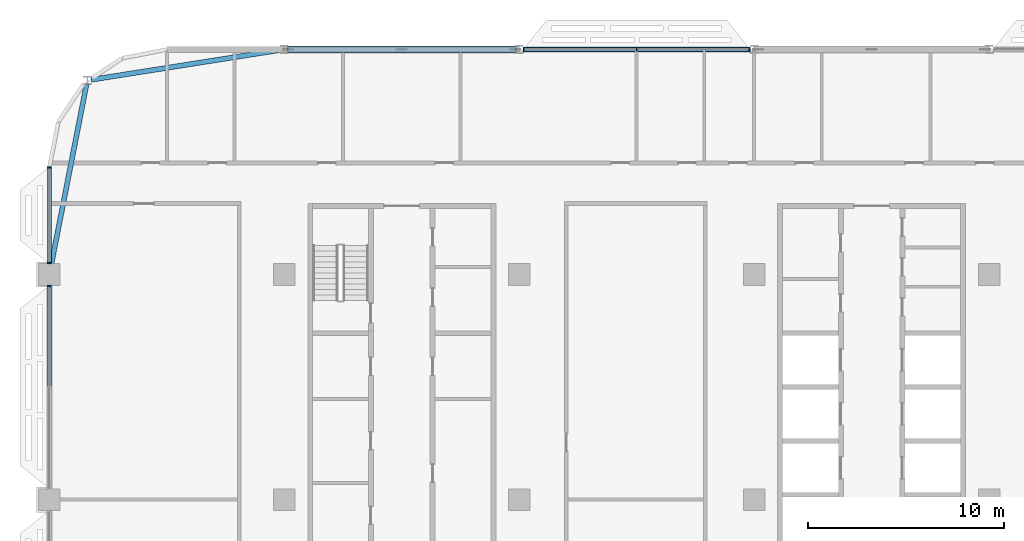
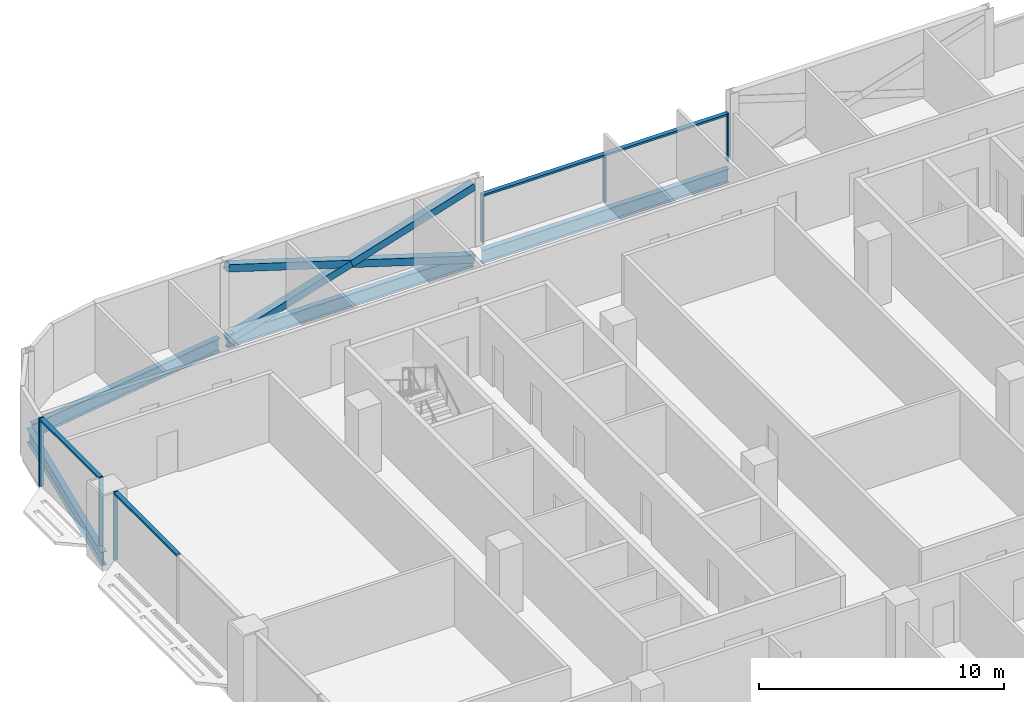
# One storey, part 7 of 30: 13 members, 4 beams, 3 elements without a shape of their own.
"""IFC4 building model written with IfcOpenShell, lengths in metres."""

from ifc_helpers import new_model, si_unit, direction, frame, origin, origin_2d, place, context, subcontext, project, spatial, rectangle, hollow_rectangle, i_section, extrude, material, material_profile, profile_set, type_object, element, aggregate, save


model = new_model("IFC4")

# Units and contexts
model_context = context("Model", 3, precision=1e-05, world=origin(), true_north=direction((0.0, 1.0)))
body_context = subcontext(model_context, "Body", "Model", "MODEL_VIEW")
ifc_project = project(units=[si_unit("LENGTHUNIT", "METRE"), si_unit("AREAUNIT", "SQUARE_METRE"), si_unit("VOLUMEUNIT", "CUBIC_METRE"), si_unit("PLANEANGLEUNIT", "RADIAN"), si_unit("MASSUNIT", "GRAM", prefix="KILO")], contexts=[model_context])

# Site, building, storey
site_placement = place(None, origin())
site = spatial("IfcSite", under=ifc_project, at=site_placement, CompositionType="ELEMENT")
building_placement = place(site_placement, origin())
building = spatial("IfcBuilding", under=site, at=building_placement, Name="Mahtab Terrace Research Tower", CompositionType="ELEMENT")
storey_placement = place(building_placement, frame((0.0, 0.0, 220.5)))
storey = spatial("IfcBuildingStorey", under=building, at=storey_placement, Name="L53", CompositionType="ELEMENT", Elevation=220.5)

# Members
ifc_material_1 = material(Name="Steel ASTM A500 Gr C", Category="steel")
ifc_material_profile_1 = material_profile(ifc_material_1, hollow_rectangle(XDim=0.355712890625, YDim=0.355712890625, WallThickness=0.015869140625, at=origin_2d()), Name="HSS14X14X5/8")
ifc_profile_set_1 = profile_set([ifc_material_profile_1], Name="Steel ASTM A500 Gr C")
member_type_1 = type_object("IfcMemberType", Name="HSS 14x14x5/8 brace XB141458", PredefinedType="BRACE", material=ifc_profile_set_1)
member_1_placement = place(storey_placement, frame((-18.20068359375, 23.0, -0.616455078125), z_axis=(-0.954709972543, 0.0, 0.297538011566), x_axis=(0.0, -1.0, 0.0)))
element("IfcMember", 1, at=member_1_placement, inside=storey, type_object=member_type_1, Name="Exoskeleton brace L53 07 a", PredefinedType="BRACE", context=body_context, shape_type="SweptSolid", body=[
    extrude(hollow_rectangle(XDim=0.355712890625, YDim=0.355712890625, WallThickness=0.015869140625, at=origin_2d()), origin(), (0.0, 0.0, 1.0), 12.14892578125),
])
for number, where, z_axis, x_axis, name in (
    (2, (-29.79931640625, 23.0, -0.616455078125), (0.954709972543, 0.0, 0.297538011566), (0.0, 1.0, 0.0), "Exoskeleton brace L53 07 b1"),
    (3, (-24.0, 23.0, 1.19091796875), (0.954709972543, 0.0, 0.297538011566), (0.0, 1.0, 0.0), "Exoskeleton brace L53 07 b2"),
):
    element("IfcMember", number, at=place(storey_placement, frame(where, z_axis=z_axis, x_axis=x_axis)), inside=storey, type_object=member_type_1, Name=name, PredefinedType="BRACE", context=body_context, shape_type="SweptSolid", body=[
        extrude(hollow_rectangle(XDim=0.355712890625, YDim=0.355712890625, WallThickness=0.015869140625, at=origin_2d()), origin(), (0.0, 0.0, 1.0), 6.074462890625),
    ])

# Curtain wall, members
ifc_material_2 = material(Name="Laboratory ribbon curtain wall")
curtain_wall_type = type_object("IfcCurtainWallType", Name="Laboratory ribbon curtain wall", PredefinedType="NOTDEFINED", material=ifc_material_2)
curtain_wall_1_placement = place(storey_placement, origin())
curtain_wall_1 = element("IfcCurtainWall", 4, at=curtain_wall_1_placement, inside=storey, type_object=curtain_wall_type, Name="EN.L53.3.8", PredefinedType="NOTDEFINED")
ifc_material_3 = material(Name="Natural anodised aluminium", Category="aluminium")
ifc_material_profile_2 = material_profile(ifc_material_3, rectangle(XDim=0.199951171875, YDim=0.06494140625, at=origin_2d()), Name="MULLION 65x200")
ifc_profile_set_2 = profile_set([ifc_material_profile_2], Name="Natural anodised aluminium")
member_type_2 = type_object("IfcMemberType", Name="Laboratory ribbon curtain wall mullion", PredefinedType="MULLION", material=ifc_profile_set_2)
member_2_placement = place(storey_placement, frame((-6.232421875, 23.0, 0.0), z_axis=(0.0, 0.0, 1.0), x_axis=(0.0, -1.0, 0.0)))
member_2 = element("IfcMember", 5, at=member_2_placement, type_object=member_type_2, Name="CWL-6 mullion 1", PredefinedType="MULLION", context=body_context, shape_type="SweptSolid", body=[
    extrude(rectangle(XDim=0.199951171875, YDim=0.06494140625, at=origin_2d()), origin(), (0.0, 0.0, 1.0), 2.401123046875),
])
member_3_placement = place(storey_placement, frame((-12.0, 23.0, 0.0), z_axis=(0.0, 0.0, 1.0), x_axis=(0.0, -1.0, 0.0)))
member_3 = element("IfcMember", 6, at=member_3_placement, type_object=member_type_2, Name="CWL-6 mullion 2", PredefinedType="MULLION", context=body_context, shape_type="SweptSolid", body=[
    extrude(rectangle(XDim=0.199951171875, YDim=0.06494140625, at=origin_2d()), origin(), (0.0, 0.0, 1.0), 2.401123046875),
])
member_4_placement = place(storey_placement, frame((-17.767578125, 23.0, 0.0), z_axis=(0.0, 0.0, 1.0), x_axis=(0.0, -1.0, 0.0)))
member_4 = element("IfcMember", 7, at=member_4_placement, type_object=member_type_2, Name="CWL-6 mullion 3", PredefinedType="MULLION", context=body_context, shape_type="SweptSolid", body=[
    extrude(rectangle(XDim=0.199951171875, YDim=0.06494140625, at=origin_2d()), origin(), (0.0, 0.0, 1.0), 2.401123046875),
])

curtain_wall_2_placement = place(storey_placement, origin())
curtain_wall_2 = element("IfcCurtainWall", 8, at=curtain_wall_2_placement, inside=storey, type_object=curtain_wall_type, Name="EN.L53.8.15", PredefinedType="NOTDEFINED")
member_5_placement = place(storey_placement, frame((-42.0, 16.967529296875, 0.0), z_axis=(0.0, 0.0, 1.0), x_axis=(1.0, 0.0, 0.0)))
member_5 = element("IfcMember", 9, at=member_5_placement, type_object=member_type_2, Name="CWL-6 mullion 1", PredefinedType="MULLION", context=body_context, shape_type="SweptSolid", body=[
    extrude(rectangle(XDim=0.199951171875, YDim=0.06494140625, at=origin_2d()), origin(), (0.0, 0.0, 1.0), 3.39990234375),
])
member_6_placement = place(storey_placement, frame((-42.0, 12.08251953125, 0.0), z_axis=(0.0, 0.0, 1.0), x_axis=(1.0, 0.0, 0.0)))
member_6 = element("IfcMember", 10, at=member_6_placement, type_object=member_type_2, Name="CWL-6 mullion 2", PredefinedType="MULLION", context=body_context, shape_type="SweptSolid", body=[
    extrude(rectangle(XDim=0.199951171875, YDim=0.06494140625, at=origin_2d()), origin(), (0.0, 0.0, 1.0), 3.39990234375),
])

# Curtain wall, member
curtain_wall_3_placement = place(storey_placement, origin())
curtain_wall_3 = element("IfcCurtainWall", 11, at=curtain_wall_3_placement, inside=storey, type_object=curtain_wall_type, Name="EN.L53.8.16", PredefinedType="NOTDEFINED")
member_7_placement = place(storey_placement, frame((-42.0, 10.91748046875, 0.0), z_axis=(0.0, 0.0, 1.0), x_axis=(1.0, 0.0, 0.0)))
member_7 = element("IfcMember", 12, at=member_7_placement, type_object=member_type_2, Name="CWL-6 mullion 1", PredefinedType="MULLION", context=body_context, shape_type="SweptSolid", body=[
    extrude(rectangle(XDim=0.199951171875, YDim=0.06494140625, at=origin_2d()), origin(), (0.0, 0.0, 1.0), 3.39990234375),
])

# Member
ifc_material_profile_3 = material_profile(ifc_material_3, rectangle(XDim=0.199951171875, YDim=0.10009765625, at=origin_2d()), Name="TRANSOM 100x200")
ifc_profile_set_3 = profile_set([ifc_material_profile_3], Name="Natural anodised aluminium")
member_type_3 = type_object("IfcMemberType", Name="Laboratory ribbon curtain wall transom", PredefinedType="USERDEFINED", material=ifc_profile_set_3)
member_8_placement = place(storey_placement, frame((-6.264892578125, 23.0, 2.351318359375), z_axis=(-1.0, 0.0, 0.0), x_axis=(0.0, -1.0, 0.0)))
member_8 = element("IfcMember", 13, at=member_8_placement, type_object=member_type_3, Name="CWL-6 transom 1", ObjectType="TRANSOM", PredefinedType="USERDEFINED", context=body_context, shape_type="SweptSolid", body=[
    extrude(rectangle(XDim=0.199951171875, YDim=0.10009765625, at=origin_2d()), origin(), (0.0, 0.0, 1.0), 5.70263671875),
])

member_9_placement = place(storey_placement, frame((-12.032470703125, 23.0, 2.351318359375), z_axis=(-1.0, 0.0, 0.0), x_axis=(0.0, -1.0, 0.0)))
member_9 = element("IfcMember", 14, at=member_9_placement, type_object=member_type_3, Name="CWL-6 transom 2", ObjectType="TRANSOM", PredefinedType="USERDEFINED", context=body_context, shape_type="SweptSolid", body=[
    extrude(rectangle(XDim=0.199951171875, YDim=0.10009765625, at=origin_2d()), origin(), (0.0, 0.0, 1.0), 5.70263671875),
])

aggregate(curtain_wall_1, [member_2, member_3, member_4, member_8, member_9])

member_10_placement = place(storey_placement, frame((-42.0, 16.93505859375, 3.35009765625), z_axis=(0.0, -1.0, 0.0), x_axis=(1.0, 0.0, 0.0)))
member_10 = element("IfcMember", 15, at=member_10_placement, type_object=member_type_3, Name="CWL-6 transom 1", ObjectType="TRANSOM", PredefinedType="USERDEFINED", context=body_context, shape_type="SweptSolid", body=[
    extrude(rectangle(XDim=0.199951171875, YDim=0.10009765625, at=origin_2d()), origin(), (0.0, 0.0, 1.0), 4.820068359375),
])

aggregate(curtain_wall_2, [member_5, member_6, member_10])

member_11_placement = place(storey_placement, frame((-42.0, 10.885009765625, 3.35009765625), z_axis=(0.0, -1.0, 0.0), x_axis=(1.0, 0.0, 0.0)))
member_11 = element("IfcMember", 16, at=member_11_placement, type_object=member_type_3, Name="CWL-6 transom 1", ObjectType="TRANSOM", PredefinedType="USERDEFINED", context=body_context, shape_type="SweptSolid", body=[
    extrude(rectangle(XDim=0.199951171875, YDim=0.10009765625, at=origin_2d()), origin(), (0.0, 0.0, 1.0), 5.1025390625),
])

aggregate(curtain_wall_3, [member_7, member_11])

# Beams
ifc_material_4 = material(Name="Steel ASTM A992 Gr 50", Category="steel")
ifc_material_profile_4 = material_profile(ifc_material_4, i_section(OverallWidth=0.25390625, OverallDepth=0.67822265625, WebThickness=0.01171875, FlangeThickness=0.016357421875, at=origin_2d()), Name="W27X84")
ifc_profile_set_4 = profile_set([ifc_material_profile_4], Name="Steel ASTM A992 Gr 50")
beam_type = type_object("IfcBeamType", Name="W27x84 beam BS2784", PredefinedType="BEAM", material=ifc_profile_set_4)
for number, where, z_axis, x_axis, name in (
    (17, (-6.20068359375, 23.0, -0.67919921875), (-1.0, 0.0, 0.0), (0.0, -1.0, 0.0), "Spandrel beam L53 06"),
    (18, (-18.20068359375, 23.0, -0.67919921875), (-1.0, 0.0, 0.0), (0.0, -1.0, 0.0), "Spandrel beam L53 07"),
):
    element("IfcBeam", number, at=place(storey_placement, frame(where, z_axis=z_axis, x_axis=x_axis)), inside=storey, type_object=beam_type, Name=name, PredefinedType="BEAM", context=body_context, shape_type="SweptSolid", body=[
        extrude(i_section(OverallWidth=0.25390625, OverallDepth=0.67822265625, WebThickness=0.01171875, FlangeThickness=0.016357421875, at=origin_2d()), origin(), (0.0, 0.0, 1.0), 11.5986328125),
    ])
beam_1_placement = place(storey_placement, frame((-30.20068359375, 22.968505859375, -0.67919921875), z_axis=(-0.987831689273, -0.155526697604, 0.0), x_axis=(0.155526697604, -0.987831689273, 0.0)))
element("IfcBeam", 19, at=beam_1_placement, inside=storey, type_object=beam_type, Name="Spandrel beam L53 08", PredefinedType="BEAM", context=body_context, shape_type="SweptSolid", body=[
    extrude(i_section(OverallWidth=0.25390625, OverallDepth=0.67822265625, WebThickness=0.01171875, FlangeThickness=0.016357421875, at=origin_2d()), origin(), (0.0, 0.0, 1.0), 9.779541015625),
])
beam_2_placement = place(storey_placement, frame((-40.10107421875, 21.216552734375, -0.67919921875), z_axis=(-0.191811291145, -0.981431825747, 0.0), x_axis=(0.981431825747, -0.191811291145, 0.0)))
element("IfcBeam", 20, at=beam_2_placement, inside=storey, type_object=beam_type, Name="Spandrel beam L53 09", PredefinedType="BEAM", context=body_context, shape_type="SweptSolid", body=[
    extrude(i_section(OverallWidth=0.25390625, OverallDepth=0.67822265625, WebThickness=0.01171875, FlangeThickness=0.016357421875, at=origin_2d()), origin(), (0.0, 0.0, 1.0), 9.33984375),
])

save(model, "model.ifc")
